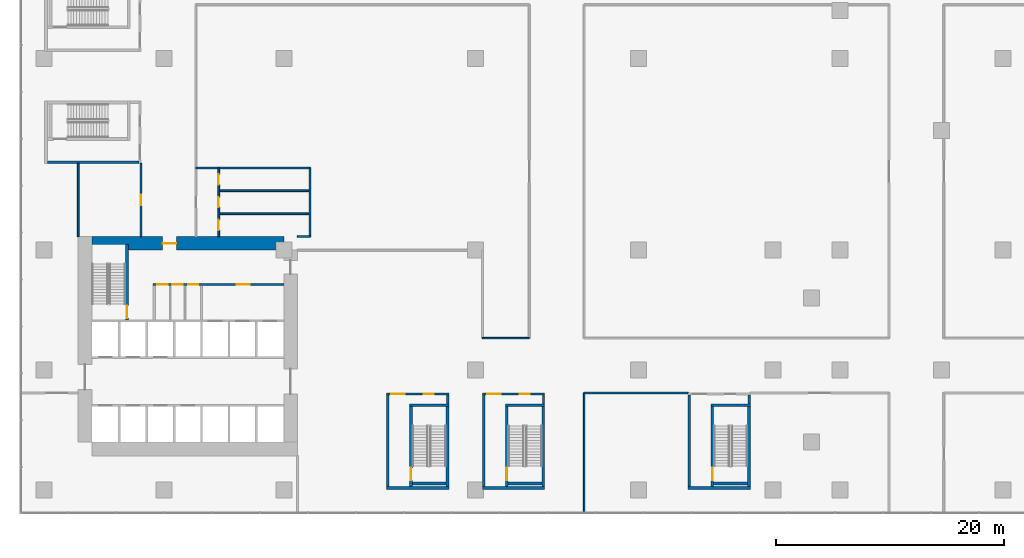
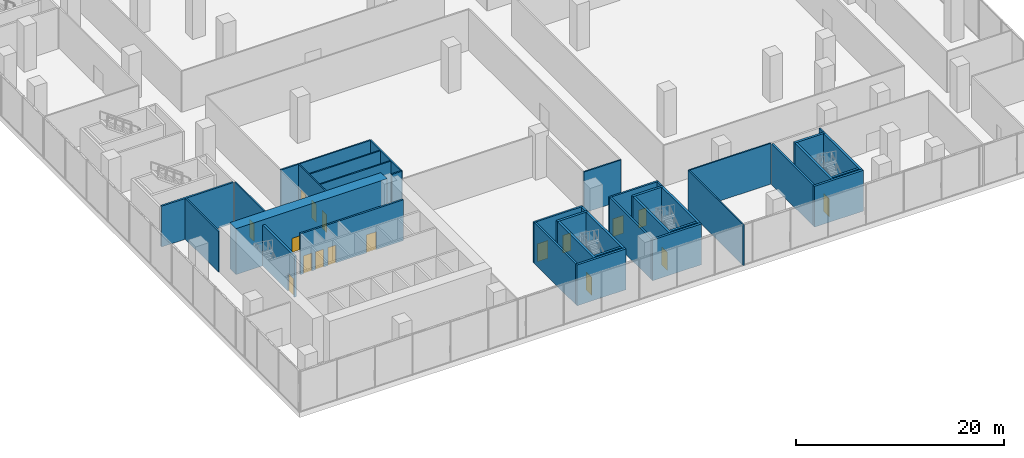
# One storey, part 14 of 24: 38 walls, 17 doors, 17 openings.
"""IFC4 building model written with IfcOpenShell, lengths in metres."""

from ifc_helpers import new_model, si_unit, direction, frame, frame_2d, origin, place, context, subcontext, project, spatial, rectangle, extrude, source, transform, mapped, material, layer, layer_set, type_object, element, fill, save


model = new_model("IFC4")

# Units and contexts
model_context = context("Model", 3, precision=1e-05, world=origin(), true_north=direction((0.0, 1.0)))
body_context = subcontext(model_context, "Body", "Model", "MODEL_VIEW")
ifc_project = project(units=[si_unit("LENGTHUNIT", "METRE"), si_unit("AREAUNIT", "SQUARE_METRE"), si_unit("VOLUMEUNIT", "CUBIC_METRE"), si_unit("PLANEANGLEUNIT", "RADIAN"), si_unit("MASSUNIT", "GRAM", prefix="KILO")], contexts=[model_context])

# Site, building, storey
site_placement = place(None, origin())
site = spatial("IfcSite", under=ifc_project, at=site_placement, CompositionType="ELEMENT")
building_placement = place(site_placement, origin())
building = spatial("IfcBuilding", under=site, at=building_placement, Name="Aurelian Terraces", CompositionType="ELEMENT")
storey_placement = place(building_placement, frame((0.0, 0.0, 12.9)))
storey = spatial("IfcBuildingStorey", under=building, at=storey_placement, Name="L02", CompositionType="ELEMENT", Elevation=12.9)

# Wall, opening, door
ifc_material_1 = material(Name="Concrete fc' 83 MPa", Category="concrete")
ifc_layer_1 = layer(ifc_material_1, 1.2)
ifc_layer_set_1 = layer_set([ifc_layer_1], Name="CORE WALL 1200 FC83")
wall_type_1 = type_object("IfcWallType", Name="CORE WALL 1200 FC83", PredefinedType="SHEAR", material=ifc_layer_set_1)
shared_shape_1 = source(origin(), body_context, "Body", "SweptSolid", [
    extrude(rectangle(XDim=16.8, YDim=1.2, at=frame_2d((8.4, 0.0))), origin(), (0.0, 0.0, 1.0), 5.4),
])
wall_1_placement = place(storey_placement, frame((4.2, 21.6, 0.0), z_axis=(0.0, 0.0, 1.0), x_axis=(1.0, 0.0, 0.0)))
wall_1 = element("IfcWall", 1, at=wall_1_placement, inside=storey, type_object=wall_type_1, Name="Core wall N L02", PredefinedType="SHEAR", context=body_context, shape_type="MappedRepresentation", body=[
    mapped(shared_shape_1, transform((0.0, 0.0, 0.0), scale=1.0)),
])
shared_shape_2 = source(origin(), body_context, "Body", "SweptSolid", [
    extrude(rectangle(XDim=1.2, YDim=2.1, at=frame_2d((0.6, 1.05))), frame((0.0, 0.61, 0.0), z_axis=(0.0, -1.0, 0.0), x_axis=(1.0, 0.0, 0.0)), (0.0, 0.0, 1.0), 1.22),
])
opening_1_placement = place(wall_1_placement, frame((6.2, 0.0, 0.0)))
opening_1 = element("IfcOpeningElement", 2, at=opening_1_placement, cuts=wall_1, Name="Opening 60535", PredefinedType="OPENING", context=body_context, shape_type="MappedRepresentation", body=[
    mapped(shared_shape_2, transform((0.0, 0.0, 0.0), scale=1.0)),
])
ifc_material_2 = material(Name="Steel door leaf", Category="steel")
door_type_1 = type_object("IfcDoorType", Name="Core fire door 1200x2100 right", OperationType="SINGLE_SWING_RIGHT", PredefinedType="DOOR", material=ifc_material_2)
shared_shape_3 = source(origin(), body_context, "Body", "SweptSolid", [
    extrude(rectangle(XDim=1.2, YDim=2.1, at=frame_2d((0.6, 1.05))), frame((0.0, 0.025, 0.0), z_axis=(0.0, -1.0, 0.0), x_axis=(1.0, 0.0, 0.0)), (0.0, 0.0, 1.0), 0.05),
])
door_1_placement = place(opening_1_placement, origin())
door_1 = element("IfcDoor", 3, at=door_1_placement, inside=storey, type_object=door_type_1, Name="Core door 60535", OperationType="SINGLE_SWING_RIGHT", OverallHeight=2.1, OverallWidth=1.2, PredefinedType="DOOR", context=body_context, shape_type="MappedRepresentation", body=[
    mapped(shared_shape_3, transform((0.0, 0.0, 0.0), scale=1.0)),
])
fill(opening_1, door_1)

ifc_material_3 = material(Name="Concrete fc' 40 MPa", Category="concrete")
ifc_layer_2 = layer(ifc_material_3, 0.25)
ifc_layer_set_2 = layer_set([ifc_layer_2], Name="Stair enclosure wall 250")
wall_type_2 = type_object("IfcWallType", Name="Stair enclosure wall 250", PredefinedType="SOLIDWALL", material=ifc_layer_set_2)
shared_shape_4 = source(origin(), body_context, "Body", "SweptSolid", [
    extrude(rectangle(XDim=7.0, YDim=0.25, at=frame_2d((3.5, 0.0))), origin(), (0.0, 0.0, 1.0), 4.8),
])
wall_2_placement = place(storey_placement, frame((40.525, 0.3, 0.0), z_axis=(0.0, 0.0, 1.0), x_axis=(0.0, 1.0, 0.0)))
wall_2 = element("IfcWall", 4, at=wall_2_placement, inside=storey, type_object=wall_type_2, Name="L02 core wall ST-S2-W", PredefinedType="SOLIDWALL", context=body_context, shape_type="MappedRepresentation", body=[
    mapped(shared_shape_4, transform((0.0, 0.0, 0.0), scale=1.0)),
])
shared_shape_5 = source(origin(), body_context, "Body", "SweptSolid", [
    extrude(rectangle(XDim=1.1, YDim=2.1, at=frame_2d((0.55, 1.05))), frame((0.0, 0.135, 0.0), z_axis=(0.0, -1.0, 0.0), x_axis=(1.0, 0.0, 0.0)), (0.0, 0.0, 1.0), 0.27),
])
opening_2_placement = place(wall_2_placement, frame((0.55, 0.0, 0.0)))
opening_2 = element("IfcOpeningElement", 5, at=opening_2_placement, cuts=wall_2, Name="Opening 60515", PredefinedType="OPENING", context=body_context, shape_type="MappedRepresentation", body=[
    mapped(shared_shape_5, transform((0.0, 0.0, 0.0), scale=1.0)),
])
door_type_2 = type_object("IfcDoorType", Name="Core fire door 1100x2100", OperationType="SINGLE_SWING_LEFT", PredefinedType="DOOR", material=ifc_material_2)
shared_shape_6 = source(origin(), body_context, "Body", "SweptSolid", [
    extrude(rectangle(XDim=1.1, YDim=2.1, at=frame_2d((0.55, 1.05))), frame((0.0, 0.025, 0.0), z_axis=(0.0, -1.0, 0.0), x_axis=(1.0, 0.0, 0.0)), (0.0, 0.0, 1.0), 0.05),
])
door_2_placement = place(opening_2_placement, origin())
door_2 = element("IfcDoor", 6, at=door_2_placement, inside=storey, type_object=door_type_2, Name="Stair door 60515", OperationType="SINGLE_SWING_LEFT", OverallHeight=2.1, OverallWidth=1.1, PredefinedType="DOOR", context=body_context, shape_type="MappedRepresentation", body=[
    mapped(shared_shape_6, transform((0.0, 0.0, 0.0), scale=1.0)),
])
fill(opening_2, door_2)

# Wall
wall_3_placement = place(storey_placement, frame((43.725, 0.3, 0.0), z_axis=(0.0, 0.0, 1.0), x_axis=(0.0, 1.0, 0.0)))
element("IfcWall", 7, at=wall_3_placement, inside=storey, type_object=wall_type_2, Name="L02 core wall ST-S2-E", PredefinedType="SOLIDWALL", context=body_context, shape_type="MappedRepresentation", body=[
    mapped(shared_shape_4, transform((0.0, 0.0, 0.0), scale=1.0)),
])

# Wall, opening, door
wall_4_placement = place(storey_placement, frame((58.525, 0.3, 0.0), z_axis=(0.0, 0.0, 1.0), x_axis=(0.0, 1.0, 0.0)))
wall_4 = element("IfcWall", 8, at=wall_4_placement, inside=storey, type_object=wall_type_2, Name="L02 core wall ST-S6-W", PredefinedType="SOLIDWALL", context=body_context, shape_type="MappedRepresentation", body=[
    mapped(shared_shape_4, transform((0.0, 0.0, 0.0), scale=1.0)),
])
opening_3_placement = place(wall_4_placement, frame((0.55, 0.0, 0.0)))
opening_3 = element("IfcOpeningElement", 9, at=opening_3_placement, cuts=wall_4, Name="Opening 60527", PredefinedType="OPENING", context=body_context, shape_type="MappedRepresentation", body=[
    mapped(shared_shape_5, transform((0.0, 0.0, 0.0), scale=1.0)),
])
door_3_placement = place(opening_3_placement, origin())
door_3 = element("IfcDoor", 10, at=door_3_placement, inside=storey, type_object=door_type_2, Name="Stair door 60527", OperationType="SINGLE_SWING_LEFT", OverallHeight=2.1, OverallWidth=1.1, PredefinedType="DOOR", context=body_context, shape_type="MappedRepresentation", body=[
    mapped(shared_shape_6, transform((0.0, 0.0, 0.0), scale=1.0)),
])
fill(opening_3, door_3)

# Wall
wall_5_placement = place(storey_placement, frame((61.725, 0.3, 0.0), z_axis=(0.0, 0.0, 1.0), x_axis=(0.0, 1.0, 0.0)))
element("IfcWall", 11, at=wall_5_placement, inside=storey, type_object=wall_type_2, Name="L02 core wall ST-S6-E", PredefinedType="SOLIDWALL", context=body_context, shape_type="MappedRepresentation", body=[
    mapped(shared_shape_4, transform((0.0, 0.0, 0.0), scale=1.0)),
])

# Wall, opening, door
wall_6_placement = place(storey_placement, frame((32.125, 0.3, 0.0), z_axis=(0.0, 0.0, 1.0), x_axis=(0.0, 1.0, 0.0)))
wall_6 = element("IfcWall", 12, at=wall_6_placement, inside=storey, type_object=wall_type_2, Name="L02 core wall ST-S7-W", PredefinedType="SOLIDWALL", context=body_context, shape_type="MappedRepresentation", body=[
    mapped(shared_shape_4, transform((0.0, 0.0, 0.0), scale=1.0)),
])
opening_4_placement = place(wall_6_placement, frame((0.55, 0.0, 0.0)))
opening_4 = element("IfcOpeningElement", 13, at=opening_4_placement, cuts=wall_6, Name="Opening 60530", PredefinedType="OPENING", context=body_context, shape_type="MappedRepresentation", body=[
    mapped(shared_shape_5, transform((0.0, 0.0, 0.0), scale=1.0)),
])
door_type_3 = type_object("IfcDoorType", Name="Core fire door 1100x2100 right", OperationType="SINGLE_SWING_RIGHT", PredefinedType="DOOR", material=ifc_material_2)
door_4_placement = place(opening_4_placement, origin())
door_4 = element("IfcDoor", 14, at=door_4_placement, inside=storey, type_object=door_type_3, Name="Stair door 60530", OperationType="SINGLE_SWING_RIGHT", OverallHeight=2.1, OverallWidth=1.1, PredefinedType="DOOR", context=body_context, shape_type="MappedRepresentation", body=[
    mapped(shared_shape_6, transform((0.0, 0.0, 0.0), scale=1.0)),
])
fill(opening_4, door_4)

# Walls
wall_7_placement = place(storey_placement, frame((35.325, 0.3, 0.0), z_axis=(0.0, 0.0, 1.0), x_axis=(0.0, 1.0, 0.0)))
element("IfcWall", 15, at=wall_7_placement, inside=storey, type_object=wall_type_2, Name="L02 core wall ST-S7-E", PredefinedType="SOLIDWALL", context=body_context, shape_type="MappedRepresentation", body=[
    mapped(shared_shape_4, transform((0.0, 0.0, 0.0), scale=1.0)),
])
shared_shape_7 = source(origin(), body_context, "Body", "SweptSolid", [
    extrude(rectangle(XDim=3.45, YDim=0.25, at=frame_2d((1.725, 0.0))), origin(), (0.0, 0.0, 1.0), 4.8),
])
for number, where, z_axis, x_axis, name in (
    (16, (40.4, 7.425, 0.0), (0.0, 0.0, 1.0), (1.0, 0.0, 0.0), "L02 core wall ST-S2-N"),
    (17, (58.4, 7.425, 0.0), (0.0, 0.0, 1.0), (1.0, 0.0, 0.0), "L02 core wall ST-S6-N"),
    (18, (32.0, 7.425, 0.0), (0.0, 0.0, 1.0), (1.0, 0.0, 0.0), "L02 core wall ST-S7-N"),
):
    element("IfcWall", number, at=place(storey_placement, frame(where, z_axis=z_axis, x_axis=x_axis)), inside=storey, type_object=wall_type_2, Name=name, PredefinedType="SOLIDWALL", context=body_context, shape_type="MappedRepresentation", body=[
        mapped(shared_shape_7, transform((0.0, 0.0, 0.0), scale=1.0)),
    ])
shared_shape_8 = source(origin(), body_context, "Body", "SweptSolid", [
    extrude(rectangle(XDim=2.95, YDim=0.25, at=frame_2d((1.475, 0.0))), origin(), (0.0, 0.0, 1.0), 4.8),
])
for number, where, z_axis, x_axis, name in (
    (19, (40.65, 0.575, 0.0), (0.0, 0.0, 1.0), (1.0, 0.0, 0.0), "L02 core wall ST-S2-SS"),
    (20, (58.65, 0.575, 0.0), (0.0, 0.0, 1.0), (1.0, 0.0, 0.0), "L02 core wall ST-S6-SS"),
    (21, (32.25, 0.575, 0.0), (0.0, 0.0, 1.0), (1.0, 0.0, 0.0), "L02 core wall ST-S7-SS"),
):
    element("IfcWall", number, at=place(storey_placement, frame(where, z_axis=z_axis, x_axis=x_axis)), inside=storey, type_object=wall_type_2, Name=name, PredefinedType="SOLIDWALL", context=body_context, shape_type="MappedRepresentation", body=[
        mapped(shared_shape_8, transform((0.0, 0.0, 0.0), scale=1.0)),
    ])
ifc_material_4 = material(Name="Gypsum board on steel studs", Category="steel")
ifc_layer_3 = layer(ifc_material_4, 0.2)
ifc_layer_set_3 = layer_set([ifc_layer_3], Name="Core partition 200")
wall_type_3 = type_object("IfcWallType", Name="Core partition 200", PredefinedType="PARTITIONING", material=ifc_layer_set_3)
shared_shape_9 = source(origin(), body_context, "Body", "SweptSolid", [
    extrude(rectangle(XDim=8.0, YDim=0.2, at=frame_2d((4.0, 0.0))), origin(), (0.0, 0.0, 1.0), 4.8),
])
for number, where, z_axis, x_axis, name in (
    (22, (38.5, 0.3, 0.0), (0.0, 0.0, 1.0), (0.0, 1.0, 0.0), "L02 core wall ST-S2-VW"),
    (23, (0.3, 28.7, 0.0), (0.0, 0.0, 1.0), (1.0, 0.0, 0.0), "L02 core wall ST-S4-VW"),
    (24, (56.5, 0.3, 0.0), (0.0, 0.0, 1.0), (0.0, 1.0, 0.0), "L02 core wall ST-S6-VW"),
    (25, (30.1, 0.3, 0.0), (0.0, 0.0, 1.0), (0.0, 1.0, 0.0), "L02 core wall ST-S7-VW"),
):
    element("IfcWall", number, at=place(storey_placement, frame(where, z_axis=z_axis, x_axis=x_axis)), inside=storey, type_object=wall_type_3, Name=name, PredefinedType="PARTITIONING", context=body_context, shape_type="MappedRepresentation", body=[
        mapped(shared_shape_9, transform((0.0, 0.0, 0.0), scale=1.0)),
    ])

# Wall, openings, doors
shared_shape_10 = source(origin(), body_context, "Body", "SweptSolid", [
    extrude(rectangle(XDim=5.45, YDim=0.2, at=frame_2d((2.725, 0.0))), origin(), (0.0, 0.0, 1.0), 4.8),
])
wall_8_placement = place(storey_placement, frame((38.4, 8.4, 0.0), z_axis=(0.0, 0.0, 1.0), x_axis=(1.0, 0.0, 0.0)))
wall_8 = element("IfcWall", 26, at=wall_8_placement, inside=storey, type_object=wall_type_3, Name="L02 core wall ST-S2-BN", PredefinedType="PARTITIONING", context=body_context, shape_type="MappedRepresentation", body=[
    mapped(shared_shape_10, transform((0.0, 0.0, 0.0), scale=1.0)),
])
shared_shape_11 = source(origin(), body_context, "Body", "SweptSolid", [
    extrude(rectangle(XDim=1.2, YDim=2.1, at=frame_2d((0.6, 1.05))), frame((0.0, 0.11, 0.0), z_axis=(0.0, -1.0, 0.0), x_axis=(1.0, 0.0, 0.0)), (0.0, 0.0, 1.0), 0.22),
])
opening_5_placement = place(wall_8_placement, frame((0.4, 0.0, 0.0)))
opening_5 = element("IfcOpeningElement", 27, at=opening_5_placement, cuts=wall_8, Name="Opening 60516", PredefinedType="OPENING", context=body_context, shape_type="MappedRepresentation", body=[
    mapped(shared_shape_11, transform((0.0, 0.0, 0.0), scale=1.0)),
])
shared_shape_12 = source(origin(), body_context, "Body", "SweptSolid", [
    extrude(rectangle(XDim=0.9, YDim=2.1, at=frame_2d((0.45, 1.05))), frame((0.0, 0.11, 0.0), z_axis=(0.0, -1.0, 0.0), x_axis=(1.0, 0.0, 0.0)), (0.0, 0.0, 1.0), 0.22),
])
opening_6_placement = place(wall_8_placement, frame((3.25, 0.0, 0.0)))
opening_6 = element("IfcOpeningElement", 28, at=opening_6_placement, cuts=wall_8, Name="Opening 60517", PredefinedType="OPENING", context=body_context, shape_type="MappedRepresentation", body=[
    mapped(shared_shape_12, transform((0.0, 0.0, 0.0), scale=1.0)),
])
door_type_4 = type_object("IfcDoorType", Name="Core riser door 900x2100", OperationType="SINGLE_SWING_LEFT", PredefinedType="DOOR", material=ifc_material_2)
shared_shape_13 = source(origin(), body_context, "Body", "SweptSolid", [
    extrude(rectangle(XDim=0.9, YDim=2.1, at=frame_2d((0.45, 1.05))), frame((0.0, 0.025, 0.0), z_axis=(0.0, -1.0, 0.0), x_axis=(1.0, 0.0, 0.0)), (0.0, 0.0, 1.0), 0.05),
])
door_5_placement = place(opening_6_placement, origin())
door_5 = element("IfcDoor", 29, at=door_5_placement, inside=storey, type_object=door_type_4, Name="Riser door 60517", OperationType="SINGLE_SWING_LEFT", OverallHeight=2.1, OverallWidth=0.9, PredefinedType="DOOR", context=body_context, shape_type="MappedRepresentation", body=[
    mapped(shared_shape_13, transform((0.0, 0.0, 0.0), scale=1.0)),
])
fill(opening_6, door_5)
door_6_placement = place(opening_5_placement, origin())
door_6 = element("IfcDoor", 30, at=door_6_placement, inside=storey, type_object=door_type_1, Name="Vestibule door 60516", OperationType="SINGLE_SWING_RIGHT", OverallHeight=2.1, OverallWidth=1.2, PredefinedType="DOOR", context=body_context, shape_type="MappedRepresentation", body=[
    mapped(shared_shape_3, transform((0.0, 0.0, 0.0), scale=1.0)),
])
fill(opening_5, door_6)

wall_9_placement = place(storey_placement, frame((30.0, 8.4, 0.0), z_axis=(0.0, 0.0, 1.0), x_axis=(1.0, 0.0, 0.0)))
wall_9 = element("IfcWall", 31, at=wall_9_placement, inside=storey, type_object=wall_type_3, Name="L02 core wall ST-S7-BN", PredefinedType="PARTITIONING", context=body_context, shape_type="MappedRepresentation", body=[
    mapped(shared_shape_10, transform((0.0, 0.0, 0.0), scale=1.0)),
])
opening_7_placement = place(wall_9_placement, frame((0.4, 0.0, 0.0)))
opening_7 = element("IfcOpeningElement", 32, at=opening_7_placement, cuts=wall_9, Name="Opening 60531", PredefinedType="OPENING", context=body_context, shape_type="MappedRepresentation", body=[
    mapped(shared_shape_11, transform((0.0, 0.0, 0.0), scale=1.0)),
])
opening_8_placement = place(wall_9_placement, frame((3.25, 0.0, 0.0)))
opening_8 = element("IfcOpeningElement", 33, at=opening_8_placement, cuts=wall_9, Name="Opening 60532", PredefinedType="OPENING", context=body_context, shape_type="MappedRepresentation", body=[
    mapped(shared_shape_12, transform((0.0, 0.0, 0.0), scale=1.0)),
])
door_type_5 = type_object("IfcDoorType", Name="Core riser door 900x2100 right", OperationType="SINGLE_SWING_RIGHT", PredefinedType="DOOR", material=ifc_material_2)
door_7_placement = place(opening_8_placement, origin())
door_7 = element("IfcDoor", 34, at=door_7_placement, inside=storey, type_object=door_type_5, Name="Riser door 60532", OperationType="SINGLE_SWING_RIGHT", OverallHeight=2.1, OverallWidth=0.9, PredefinedType="DOOR", context=body_context, shape_type="MappedRepresentation", body=[
    mapped(shared_shape_13, transform((0.0, 0.0, 0.0), scale=1.0)),
])
fill(opening_8, door_7)
door_type_6 = type_object("IfcDoorType", Name="Core fire door 1200x2100", OperationType="SINGLE_SWING_LEFT", PredefinedType="DOOR", material=ifc_material_2)
door_8_placement = place(opening_7_placement, origin())
door_8 = element("IfcDoor", 35, at=door_8_placement, inside=storey, type_object=door_type_6, Name="Vestibule door 60531", OperationType="SINGLE_SWING_LEFT", OverallHeight=2.1, OverallWidth=1.2, PredefinedType="DOOR", context=body_context, shape_type="MappedRepresentation", body=[
    mapped(shared_shape_3, transform((0.0, 0.0, 0.0), scale=1.0)),
])
fill(opening_7, door_8)

# Walls
shared_shape_14 = source(origin(), body_context, "Body", "SweptSolid", [
    extrude(rectangle(XDim=0.75, YDim=0.2, at=frame_2d((0.375, 0.0))), origin(), (0.0, 0.0, 1.0), 4.8),
])
for number, where, z_axis, x_axis, name in (
    (36, (43.75, 7.55, 0.0), (0.0, 0.0, 1.0), (0.0, 1.0, 0.0), "L02 core wall ST-S2-RE"),
    (37, (61.75, 7.55, 0.0), (0.0, 0.0, 1.0), (0.0, 1.0, 0.0), "L02 core wall ST-S6-RE"),
    (38, (35.35, 7.55, 0.0), (0.0, 0.0, 1.0), (0.0, 1.0, 0.0), "L02 core wall ST-S7-RE"),
):
    element("IfcWall", number, at=place(storey_placement, frame(where, z_axis=z_axis, x_axis=x_axis)), inside=storey, type_object=wall_type_3, Name=name, PredefinedType="PARTITIONING", context=body_context, shape_type="MappedRepresentation", body=[
        mapped(shared_shape_14, transform((0.0, 0.0, 0.0), scale=1.0)),
    ])
shared_shape_15 = source(origin(), body_context, "Body", "SweptSolid", [
    extrude(rectangle(XDim=5.45, YDim=0.25, at=frame_2d((2.725, 0.0))), origin(), (0.0, 0.0, 1.0), 4.8),
])
for number, where, z_axis, x_axis, name in (
    (39, (38.4, 0.175, 0.0), (0.0, 0.0, 1.0), (1.0, 0.0, 0.0), "L02 core wall ST-S2-S"),
    (40, (56.4, 0.175, 0.0), (0.0, 0.0, 1.0), (1.0, 0.0, 0.0), "L02 core wall ST-S6-S"),
    (41, (30.0, 0.175, 0.0), (0.0, 0.0, 1.0), (1.0, 0.0, 0.0), "L02 core wall ST-S7-S"),
):
    element("IfcWall", number, at=place(storey_placement, frame(where, z_axis=z_axis, x_axis=x_axis)), inside=storey, type_object=wall_type_2, Name=name, PredefinedType="SOLIDWALL", context=body_context, shape_type="MappedRepresentation", body=[
        mapped(shared_shape_15, transform((0.0, 0.0, 0.0), scale=1.0)),
    ])

# Wall, opening, door
shared_shape_16 = source(origin(), body_context, "Body", "SweptSolid", [
    extrude(rectangle(XDim=6.6, YDim=0.25, at=frame_2d((3.3, 0.0))), origin(), (0.0, 0.0, 1.0), 4.8),
])
wall_10_placement = place(storey_placement, frame((7.275, 14.9, 0.0), z_axis=(0.0, 0.0, 1.0), x_axis=(0.0, 1.0, 0.0)))
wall_10 = element("IfcWall", 42, at=wall_10_placement, inside=storey, type_object=wall_type_2, Name="L02 core wall ST-S1-E", PredefinedType="SOLIDWALL", context=body_context, shape_type="MappedRepresentation", body=[
    mapped(shared_shape_16, transform((0.0, 0.0, 0.0), scale=1.0)),
])
opening_9_placement = place(wall_10_placement, frame((0.15, 0.0, 0.0)))
opening_9 = element("IfcOpeningElement", 43, at=opening_9_placement, cuts=wall_10, Name="Opening 60510", PredefinedType="OPENING", context=body_context, shape_type="MappedRepresentation", body=[
    mapped(shared_shape_5, transform((0.0, 0.0, 0.0), scale=1.0)),
])
door_9_placement = place(opening_9_placement, origin())
door_9 = element("IfcDoor", 44, at=door_9_placement, inside=storey, type_object=door_type_3, Name="Stair door 60510", OperationType="SINGLE_SWING_RIGHT", OverallHeight=2.1, OverallWidth=1.1, PredefinedType="DOOR", context=body_context, shape_type="MappedRepresentation", body=[
    mapped(shared_shape_6, transform((0.0, 0.0, 0.0), scale=1.0)),
])
fill(opening_9, door_9)

# Wall, openings, doors
shared_shape_17 = source(origin(), body_context, "Body", "SweptSolid", [
    extrude(rectangle(XDim=11.45, YDim=0.2, at=frame_2d((5.725, 0.0))), origin(), (0.0, 0.0, 1.0), 4.8),
])
wall_11_placement = place(storey_placement, frame((9.55, 18.0, 0.0), z_axis=(0.0, 0.0, 1.0), x_axis=(1.0, 0.0, 0.0)))
wall_11 = element("IfcWall", 45, at=wall_11_placement, inside=storey, type_object=wall_type_3, Name="L02 core wall CP-NORTH", PredefinedType="PARTITIONING", context=body_context, shape_type="MappedRepresentation", body=[
    mapped(shared_shape_17, transform((0.0, 0.0, 0.0), scale=1.0)),
])
opening_10_placement = place(wall_11_placement, frame((0.375, 0.0, 0.0)))
opening_10 = element("IfcOpeningElement", 46, at=opening_10_placement, cuts=wall_11, Name="Opening 60511", PredefinedType="OPENING", context=body_context, shape_type="MappedRepresentation", body=[
    mapped(shared_shape_12, transform((0.0, 0.0, 0.0), scale=1.0)),
])
opening_11_placement = place(wall_11_placement, frame((1.7, 0.0, 0.0)))
opening_11 = element("IfcOpeningElement", 47, at=opening_11_placement, cuts=wall_11, Name="Opening 60512", PredefinedType="OPENING", context=body_context, shape_type="MappedRepresentation", body=[
    mapped(shared_shape_12, transform((0.0, 0.0, 0.0), scale=1.0)),
])
opening_12_placement = place(wall_11_placement, frame((3.075, 0.0, 0.0)))
opening_12 = element("IfcOpeningElement", 48, at=opening_12_placement, cuts=wall_11, Name="Opening 60513", PredefinedType="OPENING", context=body_context, shape_type="MappedRepresentation", body=[
    mapped(shared_shape_12, transform((0.0, 0.0, 0.0), scale=1.0)),
])
shared_shape_18 = source(origin(), body_context, "Body", "SweptSolid", [
    extrude(rectangle(XDim=1.1, YDim=2.1, at=frame_2d((0.55, 1.05))), frame((0.0, 0.11, 0.0), z_axis=(0.0, -1.0, 0.0), x_axis=(1.0, 0.0, 0.0)), (0.0, 0.0, 1.0), 0.22),
])
opening_13_placement = place(wall_11_placement, frame((7.35, 0.0, 0.0)))
opening_13 = element("IfcOpeningElement", 49, at=opening_13_placement, cuts=wall_11, Name="Opening 60514", PredefinedType="OPENING", context=body_context, shape_type="MappedRepresentation", body=[
    mapped(shared_shape_18, transform((0.0, 0.0, 0.0), scale=1.0)),
])
door_10_placement = place(opening_10_placement, origin())
door_10 = element("IfcDoor", 50, at=door_10_placement, inside=storey, type_object=door_type_4, Name="Room door 60511", OperationType="SINGLE_SWING_LEFT", OverallHeight=2.1, OverallWidth=0.9, PredefinedType="DOOR", context=body_context, shape_type="MappedRepresentation", body=[
    mapped(shared_shape_13, transform((0.0, 0.0, 0.0), scale=1.0)),
])
fill(opening_10, door_10)
door_type_7 = type_object("IfcDoorType", Name="Core service door 900x2100 right", OperationType="SINGLE_SWING_RIGHT", PredefinedType="DOOR", material=ifc_material_2)
door_11_placement = place(opening_11_placement, origin())
door_11 = element("IfcDoor", 51, at=door_11_placement, inside=storey, type_object=door_type_7, Name="Room door 60512", OperationType="SINGLE_SWING_RIGHT", OverallHeight=2.1, OverallWidth=0.9, PredefinedType="DOOR", context=body_context, shape_type="MappedRepresentation", body=[
    mapped(shared_shape_13, transform((0.0, 0.0, 0.0), scale=1.0)),
])
fill(opening_11, door_11)
door_type_8 = type_object("IfcDoorType", Name="Core service door 900x2100", OperationType="SINGLE_SWING_LEFT", PredefinedType="DOOR", material=ifc_material_2)
door_12_placement = place(opening_12_placement, origin())
door_12 = element("IfcDoor", 52, at=door_12_placement, inside=storey, type_object=door_type_8, Name="Room door 60513", OperationType="SINGLE_SWING_LEFT", OverallHeight=2.1, OverallWidth=0.9, PredefinedType="DOOR", context=body_context, shape_type="MappedRepresentation", body=[
    mapped(shared_shape_13, transform((0.0, 0.0, 0.0), scale=1.0)),
])
fill(opening_12, door_12)
door_13_placement = place(opening_13_placement, origin())
door_13 = element("IfcDoor", 53, at=door_13_placement, inside=storey, type_object=door_type_3, Name="Ff lobby door 60514", OperationType="SINGLE_SWING_RIGHT", OverallHeight=2.1, OverallWidth=1.1, PredefinedType="DOOR", context=body_context, shape_type="MappedRepresentation", body=[
    mapped(shared_shape_6, transform((0.0, 0.0, 0.0), scale=1.0)),
])
fill(opening_13, door_13)

# Walls
ifc_layer_4 = layer(ifc_material_4, 0.15)
ifc_layer_set_4 = layer_set([ifc_layer_4], Name="Special partition 150")
wall_type_4 = type_object("IfcWallType", Name="Special partition 150", PredefinedType="PARTITIONING", material=ifc_layer_set_4)
shared_shape_19 = source(origin(), body_context, "Body", "SweptSolid", [
    extrude(rectangle(XDim=8.0, YDim=0.15, at=frame_2d((4.0, 0.0))), origin(), (0.0, 0.0, 1.0), 4.8),
])
for number, where, z_axis, x_axis, name in (
    (54, (15.3, 24.2, 0.0), (0.0, 0.0, 1.0), (1.0, 0.0, 0.0), "L02 partition W10"),
    (55, (15.3, 26.2, 0.0), (0.0, 0.0, 1.0), (1.0, 0.0, 0.0), "L02 partition W11"),
):
    element("IfcWall", number, at=place(storey_placement, frame(where, z_axis=z_axis, x_axis=x_axis)), inside=storey, type_object=wall_type_4, Name=name, PredefinedType="PARTITIONING", context=body_context, shape_type="MappedRepresentation", body=[
        mapped(shared_shape_19, transform((0.0, 0.0, 0.0), scale=1.0)),
    ])
shared_shape_20 = source(origin(), body_context, "Body", "SweptSolid", [
    extrude(rectangle(XDim=10.6, YDim=0.15, at=frame_2d((5.3, 0.0))), origin(), (0.0, 0.0, 1.0), 4.8),
])
wall_12_placement = place(storey_placement, frame((47.3, -2.1, 0.0), z_axis=(0.0, 0.0, 1.0), x_axis=(0.0, 1.0, 0.0)))
element("IfcWall", 56, at=wall_12_placement, inside=storey, type_object=wall_type_4, Name="L02 partition W32", PredefinedType="PARTITIONING", context=body_context, shape_type="MappedRepresentation", body=[
    mapped(shared_shape_20, transform((0.0, 0.0, 0.0), scale=1.0)),
])
shared_shape_21 = source(origin(), body_context, "Body", "SweptSolid", [
    extrude(rectangle(XDim=6.4, YDim=0.15, at=frame_2d((3.2, 0.0))), origin(), (0.0, 0.0, 1.0), 4.8),
])
wall_13_placement = place(storey_placement, frame((3.0, 22.2, 0.0), z_axis=(0.0, 0.0, 1.0), x_axis=(0.0, 1.0, 0.0)))
element("IfcWall", 57, at=wall_13_placement, inside=storey, type_object=wall_type_4, Name="L02 partition W20", PredefinedType="PARTITIONING", context=body_context, shape_type="MappedRepresentation", body=[
    mapped(shared_shape_21, transform((0.0, 0.0, 0.0), scale=1.0)),
])

# Wall, opening, door
wall_14_placement = place(storey_placement, frame((8.5, 22.2, 0.0), z_axis=(0.0, 0.0, 1.0), x_axis=(0.0, 1.0, 0.0)))
wall_14 = element("IfcWall", 58, at=wall_14_placement, inside=storey, type_object=wall_type_4, Name="L02 partition W21", PredefinedType="PARTITIONING", context=body_context, shape_type="MappedRepresentation", body=[
    mapped(shared_shape_21, transform((0.0, 0.0, 0.0), scale=1.0)),
])
shared_shape_22 = source(origin(), body_context, "Body", "SweptSolid", [
    extrude(rectangle(XDim=0.9, YDim=2.1, at=frame_2d((0.45, 1.05))), frame((0.0, 0.085, 0.0), z_axis=(0.0, -1.0, 0.0), x_axis=(1.0, 0.0, 0.0)), (0.0, 0.0, 1.0), 0.17),
])
opening_14_placement = place(wall_14_placement, frame((2.75, 0.0, 0.0)))
opening_14 = element("IfcOpeningElement", 59, at=opening_14_placement, cuts=wall_14, Name="Opening 70506", PredefinedType="OPENING", context=body_context, shape_type="MappedRepresentation", body=[
    mapped(shared_shape_22, transform((0.0, 0.0, 0.0), scale=1.0)),
])
ifc_material_5 = material(Name="Timber door leaf", Category="wood")
door_type_9 = type_object("IfcDoorType", Name="Special door 900x2100 right", OperationType="SINGLE_SWING_RIGHT", PredefinedType="DOOR", material=ifc_material_5)
door_14_placement = place(opening_14_placement, origin())
door_14 = element("IfcDoor", 60, at=door_14_placement, inside=storey, type_object=door_type_9, Name="Door 70506", OperationType="SINGLE_SWING_RIGHT", OverallHeight=2.1, OverallWidth=0.9, PredefinedType="DOOR", context=body_context, shape_type="MappedRepresentation", body=[
    mapped(shared_shape_13, transform((0.0, 0.0, 0.0), scale=1.0)),
])
fill(opening_14, door_14)

# Wall, openings, doors
shared_shape_23 = source(origin(), body_context, "Body", "SweptSolid", [
    extrude(rectangle(XDim=6.0, YDim=0.15, at=frame_2d((3.0, 0.0))), origin(), (0.0, 0.0, 1.0), 4.8),
])
wall_15_placement = place(storey_placement, frame((15.3, 22.2, 0.0), z_axis=(0.0, 0.0, 1.0), x_axis=(0.0, 1.0, 0.0)))
wall_15 = element("IfcWall", 61, at=wall_15_placement, inside=storey, type_object=wall_type_4, Name="L02 partition W26", PredefinedType="PARTITIONING", context=body_context, shape_type="MappedRepresentation", body=[
    mapped(shared_shape_23, transform((0.0, 0.0, 0.0), scale=1.0)),
])
opening_15_placement = place(wall_15_placement, frame((0.55, 0.0, 0.0)))
opening_15 = element("IfcOpeningElement", 62, at=opening_15_placement, cuts=wall_15, Name="Opening 70509", PredefinedType="OPENING", context=body_context, shape_type="MappedRepresentation", body=[
    mapped(shared_shape_22, transform((0.0, 0.0, 0.0), scale=1.0)),
])
opening_16_placement = place(wall_15_placement, frame((2.55, 0.0, 0.0)))
opening_16 = element("IfcOpeningElement", 63, at=opening_16_placement, cuts=wall_15, Name="Opening 70510", PredefinedType="OPENING", context=body_context, shape_type="MappedRepresentation", body=[
    mapped(shared_shape_22, transform((0.0, 0.0, 0.0), scale=1.0)),
])
opening_17_placement = place(wall_15_placement, frame((4.55, 0.0, 0.0)))
opening_17 = element("IfcOpeningElement", 64, at=opening_17_placement, cuts=wall_15, Name="Opening 70511", PredefinedType="OPENING", context=body_context, shape_type="MappedRepresentation", body=[
    mapped(shared_shape_22, transform((0.0, 0.0, 0.0), scale=1.0)),
])
door_type_10 = type_object("IfcDoorType", Name="Special door 900x2100", OperationType="SINGLE_SWING_LEFT", PredefinedType="DOOR", material=ifc_material_5)
door_15_placement = place(opening_15_placement, origin())
door_15 = element("IfcDoor", 65, at=door_15_placement, inside=storey, type_object=door_type_10, Name="Door 70509", OperationType="SINGLE_SWING_LEFT", OverallHeight=2.1, OverallWidth=0.9, PredefinedType="DOOR", context=body_context, shape_type="MappedRepresentation", body=[
    mapped(shared_shape_13, transform((0.0, 0.0, 0.0), scale=1.0)),
])
fill(opening_15, door_15)
door_16_placement = place(opening_16_placement, origin())
door_16 = element("IfcDoor", 66, at=door_16_placement, inside=storey, type_object=door_type_9, Name="Door 70510", OperationType="SINGLE_SWING_RIGHT", OverallHeight=2.1, OverallWidth=0.9, PredefinedType="DOOR", context=body_context, shape_type="MappedRepresentation", body=[
    mapped(shared_shape_13, transform((0.0, 0.0, 0.0), scale=1.0)),
])
fill(opening_16, door_16)
door_17_placement = place(opening_17_placement, origin())
door_17 = element("IfcDoor", 67, at=door_17_placement, inside=storey, type_object=door_type_10, Name="Door 70511", OperationType="SINGLE_SWING_LEFT", OverallHeight=2.1, OverallWidth=0.9, PredefinedType="DOOR", context=body_context, shape_type="MappedRepresentation", body=[
    mapped(shared_shape_13, transform((0.0, 0.0, 0.0), scale=1.0)),
])
fill(opening_17, door_17)

# Walls
wall_16_placement = place(storey_placement, frame((23.3, 22.2, 0.0), z_axis=(0.0, 0.0, 1.0), x_axis=(0.0, 1.0, 0.0)))
element("IfcWall", 68, at=wall_16_placement, inside=storey, type_object=wall_type_4, Name="L02 partition W28", PredefinedType="PARTITIONING", context=body_context, shape_type="MappedRepresentation", body=[
    mapped(shared_shape_23, transform((0.0, 0.0, 0.0), scale=1.0)),
])
shared_shape_24 = source(origin(), body_context, "Body", "SweptSolid", [
    extrude(rectangle(XDim=9.1, YDim=0.15, at=frame_2d((4.55, 0.0))), origin(), (0.0, 0.0, 1.0), 4.8),
])
wall_17_placement = place(storey_placement, frame((47.3, 8.5, 0.0), z_axis=(0.0, 0.0, 1.0), x_axis=(1.0, 0.0, 0.0)))
element("IfcWall", 69, at=wall_17_placement, inside=storey, type_object=wall_type_4, Name="L02 partition W02", PredefinedType="PARTITIONING", context=body_context, shape_type="MappedRepresentation", body=[
    mapped(shared_shape_24, transform((0.0, 0.0, 0.0), scale=1.0)),
])
shared_shape_25 = source(origin(), body_context, "Body", "SweptSolid", [
    extrude(rectangle(XDim=4.1, YDim=0.15, at=frame_2d((2.05, 0.0))), origin(), (0.0, 0.0, 1.0), 4.8),
])
wall_18_placement = place(storey_placement, frame((38.4, 13.3, 0.0), z_axis=(0.0, 0.0, 1.0), x_axis=(1.0, 0.0, 0.0)))
element("IfcWall", 70, at=wall_18_placement, inside=storey, type_object=wall_type_4, Name="L02 partition W05", PredefinedType="PARTITIONING", context=body_context, shape_type="MappedRepresentation", body=[
    mapped(shared_shape_25, transform((0.0, 0.0, 0.0), scale=1.0)),
])
shared_shape_26 = source(origin(), body_context, "Body", "SweptSolid", [
    extrude(rectangle(XDim=1.1, YDim=0.15, at=frame_2d((0.55, 0.0))), origin(), (0.0, 0.0, 1.0), 4.8),
])
wall_19_placement = place(storey_placement, frame((22.2, 22.2, 0.0), z_axis=(0.0, 0.0, 1.0), x_axis=(1.0, 0.0, 0.0)))
element("IfcWall", 71, at=wall_19_placement, inside=storey, type_object=wall_type_4, Name="L02 partition W09", PredefinedType="PARTITIONING", context=body_context, shape_type="MappedRepresentation", body=[
    mapped(shared_shape_26, transform((0.0, 0.0, 0.0), scale=1.0)),
])
shared_shape_27 = source(origin(), body_context, "Body", "SweptSolid", [
    extrude(rectangle(XDim=10.0, YDim=0.15, at=frame_2d((5.0, 0.0))), origin(), (0.0, 0.0, 1.0), 4.8),
])
wall_20_placement = place(storey_placement, frame((13.3, 28.2, 0.0), z_axis=(0.0, 0.0, 1.0), x_axis=(1.0, 0.0, 0.0)))
element("IfcWall", 72, at=wall_20_placement, inside=storey, type_object=wall_type_4, Name="L02 partition W12", PredefinedType="PARTITIONING", context=body_context, shape_type="MappedRepresentation", body=[
    mapped(shared_shape_27, transform((0.0, 0.0, 0.0), scale=1.0)),
])

save(model, "model.ifc")
